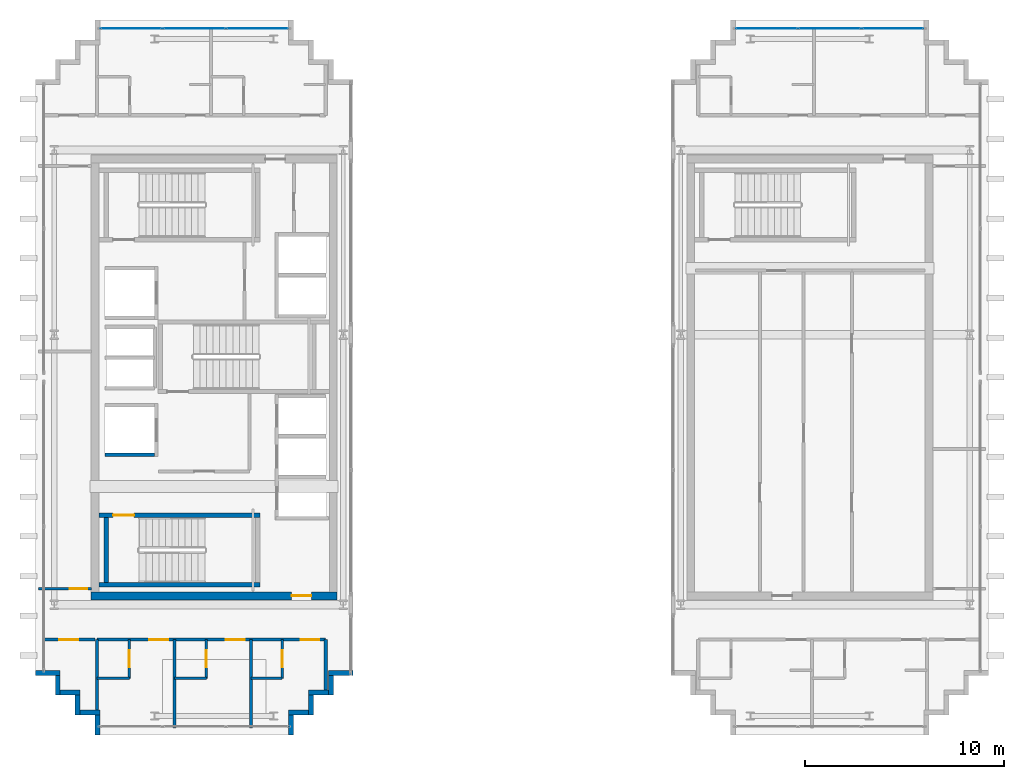
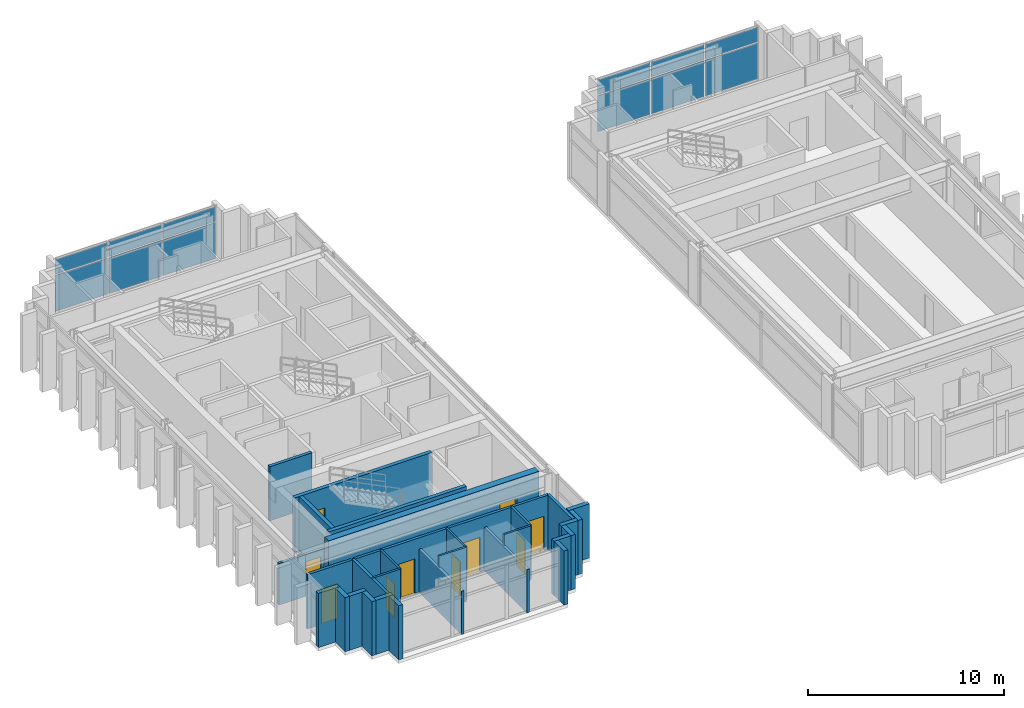
# One storey, part 19 of 25: 30 walls, 12 plates, 10 doors, 10 openings, 2 elements without a shape of their own.
"""IFC4 building model written with IfcOpenShell, lengths in metres."""

from ifc_helpers import new_model, si_unit, direction, frame, frame_2d, origin, origin_2d, place, context, subcontext, project, spatial, rectangle, extrude, source, transform, mapped, material, layer, layer_set, type_object, element, fill, aggregate, save


model = new_model("IFC4")

# Units and contexts
model_context = context("Model", 3, precision=1e-05, world=origin(), true_north=direction((0.0, 1.0)))
body_context = subcontext(model_context, "Body", "Model", "MODEL_VIEW")
ifc_project = project(units=[si_unit("LENGTHUNIT", "METRE"), si_unit("AREAUNIT", "SQUARE_METRE"), si_unit("VOLUMEUNIT", "CUBIC_METRE"), si_unit("PLANEANGLEUNIT", "RADIAN"), si_unit("MASSUNIT", "GRAM", prefix="KILO")], contexts=[model_context])

# Site, building, storey
site_placement = place(None, origin())
site = spatial("IfcSite", under=ifc_project, at=site_placement, CompositionType="ELEMENT")
building_placement = place(site_placement, origin())
building = spatial("IfcBuilding", under=site, at=building_placement, Name="Ocotamira Hotel", CompositionType="ELEMENT")
storey_placement = place(building_placement, frame((0.0, 0.0, 254.39990234375)))
storey = spatial("IfcBuildingStorey", under=building, at=storey_placement, Name="L64", CompositionType="ELEMENT", Elevation=254.39990234375)

# Curtain wall, plates
ifc_material_1 = material(Name="Anodised pale-metal aluminium and solar glass", Category="aluminium")
ifc_layer_1 = layer(ifc_material_1, 0.2099609375)
ifc_layer_set_1 = layer_set([ifc_layer_1], Name="Anodised pale-metal aluminium and solar glass")
curtain_wall_type = type_object("IfcCurtainWallType", Name="CW-SYS7-PEAK", PredefinedType="NOTDEFINED", material=ifc_layer_set_1)
curtain_wall_1_placement = place(storey_placement, origin())
curtain_wall_1 = element("IfcCurtainWall", 1, at=curtain_wall_1_placement, inside=storey, type_object=curtain_wall_type, Name="L64 Curtain Wall CW-7 CW-L64-WN", PredefinedType="NOTDEFINED")
ifc_material_2 = material(Name="Double-silver low-E insulated solar glass", Category="glass")
ifc_layer_2 = layer(ifc_material_2, 0.031982421875)
ifc_layer_set_2 = layer_set([ifc_layer_2], Name="Double-silver low-E insulated solar glass")
plate_type = type_object("IfcPlateType", Name="CWP-VISION-32", PredefinedType="CURTAIN_PANEL", material=ifc_layer_set_2)
shared_shape_1 = source(origin(), body_context, "Body", "SweptSolid", [
    extrude(rectangle(XDim=3.080078125, YDim=0.031982421875, at=origin_2d()), origin(), (0.0, 0.0, 1.0), 2.237548828125),
])
plate_1_placement = place(storey_placement, frame((12.820068359375, 43.580078125, 0.0751953125), z_axis=(0.0, 0.0, 1.0), x_axis=(1.0, 0.0, 0.0)))
plate_1 = element("IfcPlate", 2, at=plate_1_placement, type_object=plate_type, Name="CW-7 panel 1.1", PredefinedType="CURTAIN_PANEL", context=body_context, shape_type="MappedRepresentation", body=[
    mapped(shared_shape_1, transform((0.0, 0.0, 0.0), scale=1.0)),
])
plate_2_placement = place(storey_placement, frame((19.179931640625, 43.580078125, 0.0751953125), z_axis=(0.0, 0.0, 1.0), x_axis=(1.0, 0.0, 0.0)))
plate_2 = element("IfcPlate", 3, at=plate_2_placement, type_object=plate_type, Name="CW-7 panel 3.1", PredefinedType="CURTAIN_PANEL", context=body_context, shape_type="MappedRepresentation", body=[
    mapped(shared_shape_1, transform((0.0, 0.0, 0.0), scale=1.0)),
])

curtain_wall_2_placement = place(storey_placement, origin())
curtain_wall_2 = element("IfcCurtainWall", 4, at=curtain_wall_2_placement, inside=storey, type_object=curtain_wall_type, Name="L64 Curtain Wall CW-7 CW-L64-EN", PredefinedType="NOTDEFINED")
plate_3_placement = place(storey_placement, frame((44.820068359375, 43.580078125, 0.0751953125), z_axis=(0.0, 0.0, 1.0), x_axis=(1.0, 0.0, 0.0)))
plate_3 = element("IfcPlate", 5, at=plate_3_placement, type_object=plate_type, Name="CW-7 panel 1.1", PredefinedType="CURTAIN_PANEL", context=body_context, shape_type="MappedRepresentation", body=[
    mapped(shared_shape_1, transform((0.0, 0.0, 0.0), scale=1.0)),
])
plate_4_placement = place(storey_placement, frame((51.179931640625, 43.580078125, 0.0751953125), z_axis=(0.0, 0.0, 1.0), x_axis=(1.0, 0.0, 0.0)))
plate_4 = element("IfcPlate", 6, at=plate_4_placement, type_object=plate_type, Name="CW-7 panel 3.1", PredefinedType="CURTAIN_PANEL", context=body_context, shape_type="MappedRepresentation", body=[
    mapped(shared_shape_1, transform((0.0, 0.0, 0.0), scale=1.0)),
])

# Plate
shared_shape_2 = source(origin(), body_context, "Body", "SweptSolid", [
    extrude(rectangle(XDim=3.080078125, YDim=0.031982421875, at=origin_2d()), origin(), (0.0, 0.0, 1.0), 0.91748046875),
])
plate_5_placement = place(storey_placement, frame((12.820068359375, 43.580078125, 2.3876953125), z_axis=(0.0, 0.0, 1.0), x_axis=(1.0, 0.0, 0.0)))
plate_5 = element("IfcPlate", 7, at=plate_5_placement, type_object=plate_type, Name="CW-7 panel 1.2", PredefinedType="CURTAIN_PANEL", context=body_context, shape_type="MappedRepresentation", body=[
    mapped(shared_shape_2, transform((0.0, 0.0, 0.0), scale=1.0)),
])

plate_6_placement = place(storey_placement, frame((19.179931640625, 43.580078125, 2.3876953125), z_axis=(0.0, 0.0, 1.0), x_axis=(1.0, 0.0, 0.0)))
plate_6 = element("IfcPlate", 8, at=plate_6_placement, type_object=plate_type, Name="CW-7 panel 3.2", PredefinedType="CURTAIN_PANEL", context=body_context, shape_type="MappedRepresentation", body=[
    mapped(shared_shape_2, transform((0.0, 0.0, 0.0), scale=1.0)),
])

plate_7_placement = place(storey_placement, frame((44.820068359375, 43.580078125, 2.3876953125), z_axis=(0.0, 0.0, 1.0), x_axis=(1.0, 0.0, 0.0)))
plate_7 = element("IfcPlate", 9, at=plate_7_placement, type_object=plate_type, Name="CW-7 panel 1.2", PredefinedType="CURTAIN_PANEL", context=body_context, shape_type="MappedRepresentation", body=[
    mapped(shared_shape_2, transform((0.0, 0.0, 0.0), scale=1.0)),
])

plate_8_placement = place(storey_placement, frame((51.179931640625, 43.580078125, 2.3876953125), z_axis=(0.0, 0.0, 1.0), x_axis=(1.0, 0.0, 0.0)))
plate_8 = element("IfcPlate", 10, at=plate_8_placement, type_object=plate_type, Name="CW-7 panel 3.2", PredefinedType="CURTAIN_PANEL", context=body_context, shape_type="MappedRepresentation", body=[
    mapped(shared_shape_2, transform((0.0, 0.0, 0.0), scale=1.0)),
])

shared_shape_3 = source(origin(), body_context, "Body", "SweptSolid", [
    extrude(rectangle(XDim=3.1201171875, YDim=0.031982421875, at=origin_2d()), origin(), (0.0, 0.0, 1.0), 2.237548828125),
])
plate_9_placement = place(storey_placement, frame((16.0, 43.580078125, 0.0751953125), z_axis=(0.0, 0.0, 1.0), x_axis=(1.0, 0.0, 0.0)))
plate_9 = element("IfcPlate", 11, at=plate_9_placement, type_object=plate_type, Name="CW-7 panel 2.1", PredefinedType="CURTAIN_PANEL", context=body_context, shape_type="MappedRepresentation", body=[
    mapped(shared_shape_3, transform((0.0, 0.0, 0.0), scale=1.0)),
])

plate_10_placement = place(storey_placement, frame((48.0, 43.580078125, 0.0751953125), z_axis=(0.0, 0.0, 1.0), x_axis=(1.0, 0.0, 0.0)))
plate_10 = element("IfcPlate", 12, at=plate_10_placement, type_object=plate_type, Name="CW-7 panel 2.1", PredefinedType="CURTAIN_PANEL", context=body_context, shape_type="MappedRepresentation", body=[
    mapped(shared_shape_3, transform((0.0, 0.0, 0.0), scale=1.0)),
])

shared_shape_4 = source(origin(), body_context, "Body", "SweptSolid", [
    extrude(rectangle(XDim=3.1201171875, YDim=0.031982421875, at=origin_2d()), origin(), (0.0, 0.0, 1.0), 0.91748046875),
])
plate_11_placement = place(storey_placement, frame((16.0, 43.580078125, 2.3876953125), z_axis=(0.0, 0.0, 1.0), x_axis=(1.0, 0.0, 0.0)))
plate_11 = element("IfcPlate", 13, at=plate_11_placement, type_object=plate_type, Name="CW-7 panel 2.2", PredefinedType="CURTAIN_PANEL", context=body_context, shape_type="MappedRepresentation", body=[
    mapped(shared_shape_4, transform((0.0, 0.0, 0.0), scale=1.0)),
])

aggregate(curtain_wall_1, [plate_1, plate_5, plate_9, plate_11, plate_2, plate_6])

plate_12_placement = place(storey_placement, frame((48.0, 43.580078125, 2.3876953125), z_axis=(0.0, 0.0, 1.0), x_axis=(1.0, 0.0, 0.0)))
plate_12 = element("IfcPlate", 14, at=plate_12_placement, type_object=plate_type, Name="CW-7 panel 2.2", PredefinedType="CURTAIN_PANEL", context=body_context, shape_type="MappedRepresentation", body=[
    mapped(shared_shape_4, transform((0.0, 0.0, 0.0), scale=1.0)),
])

aggregate(curtain_wall_2, [plate_3, plate_7, plate_10, plate_12, plate_4, plate_8])

# Wall, opening, door
ifc_material_3 = material(Name="Concrete C50/60", Category="concrete")
ifc_layer_3 = layer(ifc_material_3, 0.39990234375)
ifc_layer_set_3 = layer_set([ifc_layer_3], Name="Concrete C50/60")
wall_type_1 = type_object("IfcWallType", Name="WL-CORE-400", PredefinedType="SHEAR", material=ifc_layer_set_3)
wall_1_placement = place(storey_placement, frame((10.800048828125, 15.0, 0.0), z_axis=(0.0, 0.0, 1.0), x_axis=(1.0, 0.0, 0.0)))
wall_1 = element("IfcWall", 15, at=wall_1_placement, inside=storey, type_object=wall_type_1, Name="L64 Shear Core Wall WCORE-S", PredefinedType="SHEAR", context=body_context, shape_type="SweptSolid", body=[
    extrude(rectangle(XDim=12.39990234375, YDim=0.39990234375, at=frame_2d((6.199951171875, 0.0))), origin(), (0.0, 0.0, 1.0), 3.380126953125),
])
opening_1_placement = place(wall_1_placement, frame((10.10009765625, 0.0, 0.0)))
opening_1 = element("IfcOpeningElement", 16, at=opening_1_placement, cuts=wall_1, Name="Opening D-FR2", PredefinedType="OPENING", context=body_context, shape_type="SweptSolid", body=[
    extrude(rectangle(XDim=1.0, YDim=2.14990234375, at=frame_2d((0.5, 1.074951171875))), frame((0.0, 0.2099609375, 0.0), z_axis=(0.0, -1.0, 0.0), x_axis=(1.0, 0.0, 0.0)), (0.0, 0.0, 1.0), 0.419921875),
])
ifc_material_4 = material(Name="Fire-rated acoustic timber-veneer door", Category="wood")
door_type_1 = type_object("IfcDoorType", Name="DR-FIRE-1000", OperationType="NOTDEFINED", PredefinedType="DOOR", material=ifc_material_4)
shared_shape_5 = source(origin(), body_context, "Body", "SweptSolid", [
    extrude(rectangle(XDim=1.0, YDim=2.14990234375, at=frame_2d((0.5, 1.074951171875))), frame((0.0, 0.02490234375, 0.0), z_axis=(0.0, -1.0, 0.0), x_axis=(1.0, 0.0, 0.0)), (0.0, 0.0, 1.0), 0.050048828125),
])
door_1_placement = place(opening_1_placement, origin())
door_1 = element("IfcDoor", 17, at=door_1_placement, inside=storey, type_object=door_type_1, Name="L64 Door ID-L64-WLOB-S-D [ID-L64-WLOB-S-D]", OperationType="SINGLE_SWING_LEFT", OverallHeight=2.14990234375, OverallWidth=1.0, PredefinedType="DOOR", context=body_context, shape_type="MappedRepresentation", body=[
    mapped(shared_shape_5, transform((0.0, 0.0, 0.0), scale=1.0)),
])
fill(opening_1, door_1)

# Walls
ifc_material_5 = material(Name="Precast concrete C45/55", Category="concrete")
ifc_layer_4 = layer(ifc_material_5, 0.25)
ifc_layer_set_4 = layer_set([ifc_layer_4], Name="Precast concrete C45/55")
wall_type_2 = type_object("IfcWallType", Name="WL-EXT-SER-250", PredefinedType="SOLIDWALL", material=ifc_layer_set_4)
for number, where, z_axis, x_axis, name in (
    (18, (20.875, 8.0, 0.0), (0.0, 0.0, 1.0), (0.0, 1.0, 0.0), "L64 -W Serrated Corner Wall 01"),
    (19, (20.75, 9.125, 0.0), (0.0, 0.0, 1.0), (1.0, 0.0, 0.0), "L64 -W Serrated Corner Wall 02"),
    (20, (21.875, 9.0, 0.0), (0.0, 0.0, 1.0), (0.0, 1.0, 0.0), "L64 -W Serrated Corner Wall 03"),
    (21, (21.75, 10.125, 0.0), (0.0, 0.0, 1.0), (1.0, 0.0, 0.0), "L64 -W Serrated Corner Wall 04"),
    (22, (22.875, 10.0, 0.0), (0.0, 0.0, 1.0), (0.0, 1.0, 0.0), "L64 -W Serrated Corner Wall 05"),
):
    element("IfcWall", number, at=place(storey_placement, frame(where, z_axis=z_axis, x_axis=x_axis)), inside=storey, type_object=wall_type_2, Name=name, PredefinedType="SOLIDWALL", context=body_context, shape_type="SweptSolid", body=[
        extrude(rectangle(XDim=1.0, YDim=0.25, at=frame_2d((0.5, 0.0))), origin(), (0.0, 0.0, 1.0), 3.380126953125),
    ])
for number, where, z_axis, x_axis, name in (
    (23, (22.75, 11.125, 0.0), (0.0, 0.0, 1.0), (1.0, 0.0, 0.0), "L64 -W Serrated Corner Wall 06"),
    (24, (8.0, 11.125, 0.0), (0.0, 0.0, 1.0), (1.0, 0.0, 0.0), "L64 -W Serrated Corner Wall 19"),
):
    element("IfcWall", number, at=place(storey_placement, frame(where, z_axis=z_axis, x_axis=x_axis)), inside=storey, type_object=wall_type_2, Name=name, PredefinedType="SOLIDWALL", context=body_context, shape_type="SweptSolid", body=[
        extrude(rectangle(XDim=1.25, YDim=0.25, at=frame_2d((0.625, 0.0))), origin(), (0.0, 0.0, 1.0), 3.380126953125),
    ])
for number, where, z_axis, x_axis, name in (
    (25, (9.125, 11.0, 0.0), (0.0, 0.0, 1.0), (0.0, -1.0, 0.0), "L64 -W Serrated Corner Wall 20"),
    (26, (9.25, 10.125, 0.0), (0.0, 0.0, 1.0), (1.0, 0.0, 0.0), "L64 -W Serrated Corner Wall 21"),
    (27, (10.125, 10.0, 0.0), (0.0, 0.0, 1.0), (0.0, -1.0, 0.0), "L64 -W Serrated Corner Wall 22"),
    (28, (10.25, 9.125, 0.0), (0.0, 0.0, 1.0), (1.0, 0.0, 0.0), "L64 -W Serrated Corner Wall 23"),
    (29, (11.125, 9.0, 0.0), (0.0, 0.0, 1.0), (0.0, -1.0, 0.0), "L64 -W Serrated Corner Wall 24"),
):
    element("IfcWall", number, at=place(storey_placement, frame(where, z_axis=z_axis, x_axis=x_axis)), inside=storey, type_object=wall_type_2, Name=name, PredefinedType="SOLIDWALL", context=body_context, shape_type="SweptSolid", body=[
        extrude(rectangle(XDim=1.0, YDim=0.25, at=frame_2d((0.5, 0.0))), origin(), (0.0, 0.0, 1.0), 3.380126953125),
    ])

# Wall, openings, doors
ifc_material_6 = material(Name="Acoustic double-layer fire gypsum board partition", Category="gypsum")
ifc_layer_5 = layer(ifc_material_6, 0.159912109375)
ifc_layer_set_5 = layer_set([ifc_layer_5], Name="Acoustic double-layer fire gypsum board partition")
wall_type_3 = type_object("IfcWallType", Name="WL-FIRE-160", PredefinedType="PARTITIONING", material=ifc_layer_set_5)
wall_2_placement = place(storey_placement, frame((11.10009765625, 12.800048828125, 0.0), z_axis=(0.0, 0.0, 1.0), x_axis=(1.0, 0.0, 0.0)))
wall_2 = element("IfcWall", 30, at=wall_2_placement, inside=storey, type_object=wall_type_3, Name="L64 Interior Wall PW-L64-SPW0S-CORRW", PredefinedType="PARTITIONING", context=body_context, shape_type="SweptSolid", body=[
    extrude(rectangle(XDim=11.52001953125, YDim=0.159912109375, at=frame_2d((5.760009765625, 0.0))), origin(), (0.0, 0.0, 1.0), 3.380126953125),
])
opening_2_placement = place(wall_2_placement, frame((2.639892578125, 0.0, 0.0)))
opening_2 = element("IfcOpeningElement", 31, at=opening_2_placement, cuts=wall_2, Name="Opening D-GR1", PredefinedType="OPENING", context=body_context, shape_type="SweptSolid", body=[
    extrude(rectangle(XDim=0.93994140625, YDim=2.14990234375, at=frame_2d((0.469970703125, 1.074951171875))), frame((0.0, 0.08984375, 0.0), z_axis=(0.0, -1.0, 0.0), x_axis=(1.0, 0.0, 0.0)), (0.0, 0.0, 1.0), 0.179931640625),
])
opening_3_placement = place(wall_2_placement, frame((6.489990234375, 0.0, 0.0)))
opening_3 = element("IfcOpeningElement", 32, at=opening_3_placement, cuts=wall_2, Name="Opening D-GR1", PredefinedType="OPENING", context=body_context, shape_type="SweptSolid", body=[
    extrude(rectangle(XDim=0.93994140625, YDim=2.14990234375, at=frame_2d((0.469970703125, 1.074951171875))), frame((0.0, 0.08984375, 0.0), z_axis=(0.0, -1.0, 0.0), x_axis=(1.0, 0.0, 0.0)), (0.0, 0.0, 1.0), 0.179931640625),
])
opening_4_placement = place(wall_2_placement, frame((10.260009765625, 0.0, 0.0)))
opening_4 = element("IfcOpeningElement", 33, at=opening_4_placement, cuts=wall_2, Name="Opening D-GR1", PredefinedType="OPENING", context=body_context, shape_type="SweptSolid", body=[
    extrude(rectangle(XDim=0.93994140625, YDim=2.14990234375, at=frame_2d((0.469970703125, 1.074951171875))), frame((0.0, 0.08984375, 0.0), z_axis=(0.0, -1.0, 0.0), x_axis=(1.0, 0.0, 0.0)), (0.0, 0.0, 1.0), 0.179931640625),
])
ifc_material_7 = material(Name="Solid-core walnut suite entrance fire door", Category="wood")
door_type_2 = type_object("IfcDoorType", Name="DR-GUEST-940", OperationType="NOTDEFINED", PredefinedType="DOOR", material=ifc_material_7)
shared_shape_6 = source(origin(), body_context, "Body", "SweptSolid", [
    extrude(rectangle(XDim=0.93994140625, YDim=2.14990234375, at=frame_2d((0.469970703125, 1.074951171875))), frame((0.0, 0.02490234375, 0.0), z_axis=(0.0, -1.0, 0.0), x_axis=(1.0, 0.0, 0.0)), (0.0, 0.0, 1.0), 0.050048828125),
])
door_2_placement = place(opening_2_placement, origin())
door_2 = element("IfcDoor", 34, at=door_2_placement, inside=storey, type_object=door_type_2, Name="L64 Door ID-L64-SPW0S-RMD1 [ID-L64-SPW0S-RMD1]", OperationType="SINGLE_SWING_LEFT", OverallHeight=2.14990234375, OverallWidth=0.93994140625, PredefinedType="DOOR", context=body_context, shape_type="MappedRepresentation", body=[
    mapped(shared_shape_6, transform((0.0, 0.0, 0.0), scale=1.0)),
])
fill(opening_2, door_2)
door_3_placement = place(opening_3_placement, origin())
door_3 = element("IfcDoor", 35, at=door_3_placement, inside=storey, type_object=door_type_2, Name="L64 Door ID-L64-SPW0S-RMD2 [ID-L64-SPW0S-RMD2]", OperationType="SINGLE_SWING_RIGHT", OverallHeight=2.14990234375, OverallWidth=0.93994140625, PredefinedType="DOOR", context=body_context, shape_type="MappedRepresentation", body=[
    mapped(shared_shape_6, transform((0.0, 0.0, 0.0), scale=1.0)),
])
fill(opening_3, door_3)
door_4_placement = place(opening_4_placement, origin())
door_4 = element("IfcDoor", 36, at=door_4_placement, inside=storey, type_object=door_type_2, Name="L64 Door ID-L64-SPW0S-RMD3 [ID-L64-SPW0S-RMD3]", OperationType="SINGLE_SWING_LEFT", OverallHeight=2.14990234375, OverallWidth=0.93994140625, PredefinedType="DOOR", context=body_context, shape_type="MappedRepresentation", body=[
    mapped(shared_shape_6, transform((0.0, 0.0, 0.0), scale=1.0)),
])
fill(opening_4, door_4)

# Wall, opening, door
wall_3_placement = place(storey_placement, frame((8.35009765625, 12.800048828125, 0.0), z_axis=(0.0, 0.0, 1.0), x_axis=(1.0, 0.0, 0.0)))
wall_3 = element("IfcWall", 37, at=wall_3_placement, inside=storey, type_object=wall_type_3, Name="L64 Interior Wall PW-L64-SPCSW0-CW", PredefinedType="PARTITIONING", context=body_context, shape_type="SweptSolid", body=[
    extrude(rectangle(XDim=2.64990234375, YDim=0.159912109375, at=frame_2d((1.324951171875, 0.0))), origin(), (0.0, 0.0, 1.0), 3.380126953125),
])
opening_5_placement = place(wall_3_placement, frame((0.844970703125, 0.0, 0.0)))
opening_5 = element("IfcOpeningElement", 38, at=opening_5_placement, cuts=wall_3, Name="Opening D-SV4", PredefinedType="OPENING", context=body_context, shape_type="SweptSolid", body=[
    extrude(rectangle(XDim=0.9599609375, YDim=2.14990234375, at=frame_2d((0.47998046875, 1.074951171875))), frame((0.0, 0.08984375, 0.0), z_axis=(0.0, -1.0, 0.0), x_axis=(1.0, 0.0, 0.0)), (0.0, 0.0, 1.0), 0.179931640625),
])
ifc_material_8 = material(Name="Fire-rated accessible walnut salon door", Category="wood")
door_type_3 = type_object("IfcDoorType", Name="DR-SERV-960", OperationType="NOTDEFINED", PredefinedType="DOOR", material=ifc_material_8)
shared_shape_7 = source(origin(), body_context, "Body", "SweptSolid", [
    extrude(rectangle(XDim=0.9599609375, YDim=2.14990234375, at=frame_2d((0.47998046875, 1.074951171875))), frame((0.0, 0.02490234375, 0.0), z_axis=(0.0, -1.0, 0.0), x_axis=(1.0, 0.0, 0.0)), (0.0, 0.0, 1.0), 0.050048828125),
])
door_5_placement = place(opening_5_placement, origin())
door_5 = element("IfcDoor", 39, at=door_5_placement, inside=storey, type_object=door_type_3, Name="L64 Door ID-L64-SPCSW0-CD [ID-L64-SPCSW0-CD]", OperationType="SINGLE_SWING_LEFT", OverallHeight=2.14990234375, OverallWidth=0.9599609375, PredefinedType="DOOR", context=body_context, shape_type="MappedRepresentation", body=[
    mapped(shared_shape_7, transform((0.0, 0.0, 0.0), scale=1.0)),
])
fill(opening_5, door_5)

ifc_material_9 = material(Name="Moisture-resistant en-suite tile and gypsum partition", Category="gypsum")
ifc_layer_6 = layer(ifc_material_9, 0.1201171875)
ifc_layer_set_6 = layer_set([ifc_layer_6], Name="Moisture-resistant en-suite tile and gypsum partition")
wall_type_4 = type_object("IfcWallType", Name="WL-PART-120", PredefinedType="PARTITIONING", material=ifc_layer_set_6)
wall_4_placement = place(storey_placement, frame((12.72998046875, 10.85009765625, 0.0), z_axis=(0.0, 0.0, 1.0), x_axis=(0.0, 1.0, 0.0)))
wall_4 = element("IfcWall", 40, at=wall_4_placement, inside=storey, type_object=wall_type_4, Name="L64 Interior Wall PW-L64-SPW0S-BAE1", PredefinedType="PARTITIONING", context=body_context, shape_type="SweptSolid", body=[
    extrude(rectangle(XDim=1.949951171875, YDim=0.1201171875, at=frame_2d((0.97509765625, 0.0))), origin(), (0.0, 0.0, 1.0), 3.380126953125),
])
opening_6_placement = place(wall_4_placement, frame((0.544921875, 0.0, 0.0)))
opening_6 = element("IfcOpeningElement", 41, at=opening_6_placement, cuts=wall_4, Name="Opening D-BA1", PredefinedType="OPENING", context=body_context, shape_type="SweptSolid", body=[
    extrude(rectangle(XDim=0.860107421875, YDim=2.10009765625, at=frame_2d((0.43017578125, 1.050048828125))), frame((0.0, 0.070068359375, 0.0), z_axis=(0.0, -1.0, 0.0), x_axis=(1.0, 0.0, 0.0)), (0.0, 0.0, 1.0), 0.14013671875),
])
ifc_material_10 = material(Name="Moisture-sealed en-suite timber door", Category="wood")
door_type_4 = type_object("IfcDoorType", Name="DR-BATH-860", OperationType="NOTDEFINED", PredefinedType="DOOR", material=ifc_material_10)
shared_shape_8 = source(origin(), body_context, "Body", "SweptSolid", [
    extrude(rectangle(XDim=0.860107421875, YDim=2.10009765625, at=frame_2d((0.43017578125, 1.050048828125))), frame((0.0, 0.02490234375, 0.0), z_axis=(0.0, -1.0, 0.0), x_axis=(1.0, 0.0, 0.0)), (0.0, 0.0, 1.0), 0.050048828125),
])
door_6_placement = place(opening_6_placement, origin())
door_6 = element("IfcDoor", 42, at=door_6_placement, inside=storey, type_object=door_type_4, Name="L64 Door ID-L64-SPW0S-BAD1 [ID-L64-SPW0S-BAD1]", OperationType="SINGLE_SWING_RIGHT", OverallHeight=2.10009765625, OverallWidth=0.860107421875, PredefinedType="DOOR", context=body_context, shape_type="MappedRepresentation", body=[
    mapped(shared_shape_8, transform((0.0, 0.0, 0.0), scale=1.0)),
])
fill(opening_6, door_6)

# Wall
wall_5_placement = place(storey_placement, frame((11.10009765625, 10.85009765625, 0.0), z_axis=(0.0, 0.0, 1.0), x_axis=(1.0, 0.0, 0.0)))
element("IfcWall", 43, at=wall_5_placement, inside=storey, type_object=wall_type_4, Name="L64 Interior Wall PW-L64-SPW0S-BAS1", PredefinedType="PARTITIONING", context=body_context, shape_type="SweptSolid", body=[
    extrude(rectangle(XDim=1.6298828125, YDim=0.1201171875, at=frame_2d((0.81494140625, 0.0))), origin(), (0.0, 0.0, 1.0), 3.380126953125),
])

# Wall, opening, door
wall_6_placement = place(storey_placement, frame((16.610107421875, 10.85009765625, 0.0), z_axis=(0.0, 0.0, 1.0), x_axis=(0.0, 1.0, 0.0)))
wall_6 = element("IfcWall", 44, at=wall_6_placement, inside=storey, type_object=wall_type_4, Name="L64 Interior Wall PW-L64-SPW0S-BAE2", PredefinedType="PARTITIONING", context=body_context, shape_type="SweptSolid", body=[
    extrude(rectangle(XDim=1.949951171875, YDim=0.1201171875, at=frame_2d((0.97509765625, 0.0))), origin(), (0.0, 0.0, 1.0), 3.380126953125),
])
opening_7_placement = place(wall_6_placement, frame((0.544921875, 0.0, 0.0)))
opening_7 = element("IfcOpeningElement", 45, at=opening_7_placement, cuts=wall_6, Name="Opening D-BA1", PredefinedType="OPENING", context=body_context, shape_type="SweptSolid", body=[
    extrude(rectangle(XDim=0.860107421875, YDim=2.10009765625, at=frame_2d((0.43017578125, 1.050048828125))), frame((0.0, 0.070068359375, 0.0), z_axis=(0.0, -1.0, 0.0), x_axis=(1.0, 0.0, 0.0)), (0.0, 0.0, 1.0), 0.14013671875),
])
door_7_placement = place(opening_7_placement, origin())
door_7 = element("IfcDoor", 46, at=door_7_placement, inside=storey, type_object=door_type_4, Name="L64 Door ID-L64-SPW0S-BAD2 [ID-L64-SPW0S-BAD2]", OperationType="SINGLE_SWING_LEFT", OverallHeight=2.10009765625, OverallWidth=0.860107421875, PredefinedType="DOOR", context=body_context, shape_type="MappedRepresentation", body=[
    mapped(shared_shape_8, transform((0.0, 0.0, 0.0), scale=1.0)),
])
fill(opening_7, door_7)

# Wall
wall_7_placement = place(storey_placement, frame((15.0, 10.85009765625, 0.0), z_axis=(0.0, 0.0, 1.0), x_axis=(1.0, 0.0, 0.0)))
element("IfcWall", 47, at=wall_7_placement, inside=storey, type_object=wall_type_4, Name="L64 Interior Wall PW-L64-SPW0S-BAS2", PredefinedType="PARTITIONING", context=body_context, shape_type="SweptSolid", body=[
    extrude(rectangle(XDim=1.610107421875, YDim=0.1201171875, at=frame_2d((0.80517578125, 0.0))), origin(), (0.0, 0.0, 1.0), 3.380126953125),
])

# Wall, opening, door
wall_8_placement = place(storey_placement, frame((20.429931640625, 10.85009765625, 0.0), z_axis=(0.0, 0.0, 1.0), x_axis=(0.0, 1.0, 0.0)))
wall_8 = element("IfcWall", 48, at=wall_8_placement, inside=storey, type_object=wall_type_4, Name="L64 Interior Wall PW-L64-SPW0S-BAE3", PredefinedType="PARTITIONING", context=body_context, shape_type="SweptSolid", body=[
    extrude(rectangle(XDim=1.949951171875, YDim=0.1201171875, at=frame_2d((0.97509765625, 0.0))), origin(), (0.0, 0.0, 1.0), 3.380126953125),
])
opening_8_placement = place(wall_8_placement, frame((0.544921875, 0.0, 0.0)))
opening_8 = element("IfcOpeningElement", 49, at=opening_8_placement, cuts=wall_8, Name="Opening D-BA1", PredefinedType="OPENING", context=body_context, shape_type="SweptSolid", body=[
    extrude(rectangle(XDim=0.860107421875, YDim=2.10009765625, at=frame_2d((0.43017578125, 1.050048828125))), frame((0.0, 0.070068359375, 0.0), z_axis=(0.0, -1.0, 0.0), x_axis=(1.0, 0.0, 0.0)), (0.0, 0.0, 1.0), 0.14013671875),
])
door_8_placement = place(opening_8_placement, origin())
door_8 = element("IfcDoor", 50, at=door_8_placement, inside=storey, type_object=door_type_4, Name="L64 Door ID-L64-SPW0S-BAD3 [ID-L64-SPW0S-BAD3]", OperationType="SINGLE_SWING_RIGHT", OverallHeight=2.10009765625, OverallWidth=0.860107421875, PredefinedType="DOOR", context=body_context, shape_type="MappedRepresentation", body=[
    mapped(shared_shape_8, transform((0.0, 0.0, 0.0), scale=1.0)),
])
fill(opening_8, door_8)

# Wall
wall_9_placement = place(storey_placement, frame((18.85009765625, 10.85009765625, 0.0), z_axis=(0.0, 0.0, 1.0), x_axis=(1.0, 0.0, 0.0)))
element("IfcWall", 51, at=wall_9_placement, inside=storey, type_object=wall_type_4, Name="L64 Interior Wall PW-L64-SPW0S-BAS3", PredefinedType="PARTITIONING", context=body_context, shape_type="SweptSolid", body=[
    extrude(rectangle(XDim=1.579833984375, YDim=0.1201171875, at=frame_2d((0.7900390625, 0.0))), origin(), (0.0, 0.0, 1.0), 3.380126953125),
])

# Wall, opening, door
ifc_material_11 = material(Name="Acoustic hospitality gypsum board partition", Category="gypsum")
ifc_layer_7 = layer(ifc_material_11, 0.14990234375)
ifc_layer_set_7 = layer_set([ifc_layer_7], Name="Acoustic hospitality gypsum board partition")
wall_type_5 = type_object("IfcWallType", Name="WL-PART-150", PredefinedType="PARTITIONING", material=ifc_layer_set_7)
wall_10_placement = place(storey_placement, frame((8.159912109375, 15.360107421875, 0.0), z_axis=(0.0, 0.0, 1.0), x_axis=(1.0, 0.0, 0.0)))
wall_10 = element("IfcWall", 52, at=wall_10_placement, inside=storey, type_object=wall_type_5, Name="L64 Interior Wall PW-L64-SP0W-WS", PredefinedType="PARTITIONING", context=body_context, shape_type="SweptSolid", body=[
    extrude(rectangle(XDim=2.66015625, YDim=0.14990234375, at=frame_2d((1.330078125, 0.0))), origin(), (0.0, 0.0, 1.0), 2.60107421875),
])
opening_9_placement = place(wall_10_placement, frame((1.580078125, 0.0, 0.0)))
opening_9 = element("IfcOpeningElement", 53, at=opening_9_placement, cuts=wall_10, Name="Opening D-SV2", PredefinedType="OPENING", context=body_context, shape_type="SweptSolid", body=[
    extrude(rectangle(XDim=0.8798828125, YDim=2.14990234375, at=frame_2d((0.43994140625, 1.074951171875))), frame((0.0, 0.0849609375, 0.0), z_axis=(0.0, -1.0, 0.0), x_axis=(1.0, 0.0, 0.0)), (0.0, 0.0, 1.0), 0.169921875),
])
ifc_material_12 = material(Name="Fire-rated painted steel service door", Category="steel")
door_type_5 = type_object("IfcDoorType", Name="DR-SERV-880", OperationType="NOTDEFINED", PredefinedType="DOOR", material=ifc_material_12)
shared_shape_9 = source(origin(), body_context, "Body", "SweptSolid", [
    extrude(rectangle(XDim=0.8798828125, YDim=2.14990234375, at=frame_2d((0.43994140625, 1.074951171875))), frame((0.0, 0.02490234375, 0.0), z_axis=(0.0, -1.0, 0.0), x_axis=(1.0, 0.0, 0.0)), (0.0, 0.0, 1.0), 0.050048828125),
])
door_9_placement = place(opening_9_placement, origin())
door_9 = element("IfcDoor", 54, at=door_9_placement, inside=storey, type_object=door_type_5, Name="L64 Door ID-L64-SP0W-DS [ID-L64-SP0W-DS]", OperationType="SINGLE_SWING_LEFT", OverallHeight=2.14990234375, OverallWidth=0.8798828125, PredefinedType="DOOR", context=body_context, shape_type="MappedRepresentation", body=[
    mapped(shared_shape_9, transform((0.0, 0.0, 0.0), scale=1.0)),
])
fill(opening_9, door_9)

# Walls
ifc_material_13 = material(Name="Acoustic double-stud hospitality gypsum partition", Category="gypsum")
ifc_layer_8 = layer(ifc_material_13, 0.159912109375)
ifc_layer_set_8 = layer_set([ifc_layer_8], Name="Acoustic double-stud hospitality gypsum partition")
wall_type_6 = type_object("IfcWallType", Name="WL-PART-160", PredefinedType="PARTITIONING", material=ifc_layer_set_8)
wall_11_placement = place(storey_placement, frame((11.10009765625, 9.260009765625, 0.0), z_axis=(0.0, 0.0, 1.0), x_axis=(0.0, 1.0, 0.0)))
element("IfcWall", 55, at=wall_11_placement, inside=storey, type_object=wall_type_6, Name="L64 Interior Wall PW-L64-SPW0S-PW0", PredefinedType="PARTITIONING", context=body_context, shape_type="SweptSolid", body=[
    extrude(rectangle(XDim=3.5400390625, YDim=0.159912109375, at=frame_2d((1.77001953125, 0.0))), origin(), (0.0, 0.0, 1.0), 3.380126953125),
])
wall_12_placement = place(storey_placement, frame((22.6201171875, 10.260009765625, 0.0), z_axis=(0.0, 0.0, 1.0), x_axis=(0.0, 1.0, 0.0)))
element("IfcWall", 56, at=wall_12_placement, inside=storey, type_object=wall_type_6, Name="L64 Interior Wall PW-L64-SPW0S-PWEND", PredefinedType="PARTITIONING", context=body_context, shape_type="SweptSolid", body=[
    extrude(rectangle(XDim=2.5400390625, YDim=0.159912109375, at=frame_2d((1.27001953125, 0.0))), origin(), (0.0, 0.0, 1.0), 3.380126953125),
])
for number, where, z_axis, x_axis, name in (
    (57, (15.0, 8.360107421875, 0.0), (0.0, 0.0, 1.0), (0.0, 1.0, 0.0), "L64 Interior Wall PW-L64-SPW0S-PW1"),
    (58, (18.85009765625, 8.360107421875, 0.0), (0.0, 0.0, 1.0), (0.0, 1.0, 0.0), "L64 Interior Wall PW-L64-SPW0S-PW2"),
):
    element("IfcWall", number, at=place(storey_placement, frame(where, z_axis=z_axis, x_axis=x_axis)), inside=storey, type_object=wall_type_6, Name=name, PredefinedType="PARTITIONING", context=body_context, shape_type="SweptSolid", body=[
        extrude(rectangle(XDim=4.43994140625, YDim=0.159912109375, at=frame_2d((2.219970703125, 0.0))), origin(), (0.0, 0.0, 1.0), 2.68701171875),
    ])
ifc_material_14 = material(Name="Fire-rated gypsum shaftliner board assembly", Category="gypsum")
ifc_layer_9 = layer(ifc_material_14, 0.179931640625)
ifc_layer_set_9 = layer_set([ifc_layer_9], Name="Fire-rated gypsum shaftliner board assembly")
wall_type_7 = type_object("IfcWallType", Name="WL-SHAFT-180", PredefinedType="SOLIDWALL", material=ifc_layer_set_9)
wall_13_placement = place(storey_placement, frame((11.5, 22.110107421875, 0.0), z_axis=(0.0, 0.0, 1.0), x_axis=(1.0, 0.0, 0.0)))
element("IfcWall", 59, at=wall_13_placement, inside=storey, type_object=wall_type_7, Name="L64 Interior Wall PW-L64-LFW-LF-FSAE1-S", PredefinedType="SOLIDWALL", context=body_context, shape_type="SweptSolid", body=[
    extrude(rectangle(XDim=2.5, YDim=0.179931640625, at=frame_2d((1.25, 0.0))), origin(), (0.0, 0.0, 1.0), 3.380126953125),
])
ifc_layer_10 = layer(ifc_material_3, 0.219970703125)
ifc_layer_set_10 = layer_set([ifc_layer_10], Name="Concrete C50/60")
wall_type_8 = type_object("IfcWallType", Name="WL-STAIR-220", PredefinedType="SHEAR", material=ifc_layer_set_10)
wall_14_placement = place(storey_placement, frame((11.199951171875, 15.56005859375, 0.0), z_axis=(0.0, 0.0, 1.0), x_axis=(1.0, 0.0, 0.0)))
element("IfcWall", 60, at=wall_14_placement, inside=storey, type_object=wall_type_8, Name="L64 Stair Shaft Structural Wall ST-1-S", PredefinedType="SHEAR", context=body_context, shape_type="SweptSolid", body=[
    extrude(rectangle(XDim=8.110107421875, YDim=0.219970703125, at=frame_2d((4.05517578125, 0.0))), origin(), (0.0, 0.0, 1.0), 3.400146484375),
])

# Wall, opening, door
wall_15_placement = place(storey_placement, frame((11.199951171875, 19.06005859375, 0.0), z_axis=(0.0, 0.0, 1.0), x_axis=(1.0, 0.0, 0.0)))
wall_15 = element("IfcWall", 61, at=wall_15_placement, inside=storey, type_object=wall_type_8, Name="L64 Stair Shaft Structural Wall ST-1-N", PredefinedType="SHEAR", context=body_context, shape_type="SweptSolid", body=[
    extrude(rectangle(XDim=8.110107421875, YDim=0.219970703125, at=frame_2d((4.05517578125, 0.0))), origin(), (0.0, 0.0, 1.0), 3.400146484375),
])
opening_10_placement = place(wall_15_placement, frame((0.719970703125, 0.0, 0.0)))
opening_10 = element("IfcOpeningElement", 62, at=opening_10_placement, cuts=wall_15, Name="Opening D-ST2", PredefinedType="OPENING", context=body_context, shape_type="SweptSolid", body=[
    extrude(rectangle(XDim=1.050048828125, YDim=2.14990234375, at=frame_2d((0.52490234375, 1.074951171875))), frame((0.0, 0.1201171875, 0.0), z_axis=(0.0, -1.0, 0.0), x_axis=(1.0, 0.0, 0.0)), (0.0, 0.0, 1.0), 0.239990234375),
])
ifc_material_15 = material(Name="Insulated painted hollow-metal fire exit door", Category="steel")
door_type_6 = type_object("IfcDoorType", Name="DR-STAIR-1050", OperationType="NOTDEFINED", PredefinedType="DOOR", material=ifc_material_15)
shared_shape_10 = source(origin(), body_context, "Body", "SweptSolid", [
    extrude(rectangle(XDim=1.050048828125, YDim=2.14990234375, at=frame_2d((0.52490234375, 1.074951171875))), frame((0.0, 0.02490234375, 0.0), z_axis=(0.0, -1.0, 0.0), x_axis=(1.0, 0.0, 0.0)), (0.0, 0.0, 1.0), 0.050048828125),
])
door_10_placement = place(opening_10_placement, origin())
door_10 = element("IfcDoor", 63, at=door_10_placement, inside=storey, type_object=door_type_6, Name="L64 Door ID-L64-STD-ST-1 [ID-L64-STD-ST-1]", OperationType="SINGLE_SWING_LEFT", OverallHeight=2.14990234375, OverallWidth=1.050048828125, PredefinedType="DOOR", context=body_context, shape_type="MappedRepresentation", body=[
    mapped(shared_shape_10, transform((0.0, 0.0, 0.0), scale=1.0)),
])
fill(opening_10, door_10)

# Wall
wall_16_placement = place(storey_placement, frame((11.56005859375, 15.669921875, 0.0), z_axis=(0.0, 0.0, 1.0), x_axis=(0.0, 1.0, 0.0)))
element("IfcWall", 64, at=wall_16_placement, inside=storey, type_object=wall_type_8, Name="L64 Stair Shaft Structural Wall ST-1-W", PredefinedType="SHEAR", context=body_context, shape_type="SweptSolid", body=[
    extrude(rectangle(XDim=3.280029296875, YDim=0.219970703125, at=frame_2d((1.64013671875, 0.0))), origin(), (0.0, 0.0, 1.0), 3.400146484375),
])

save(model, "model.ifc")
